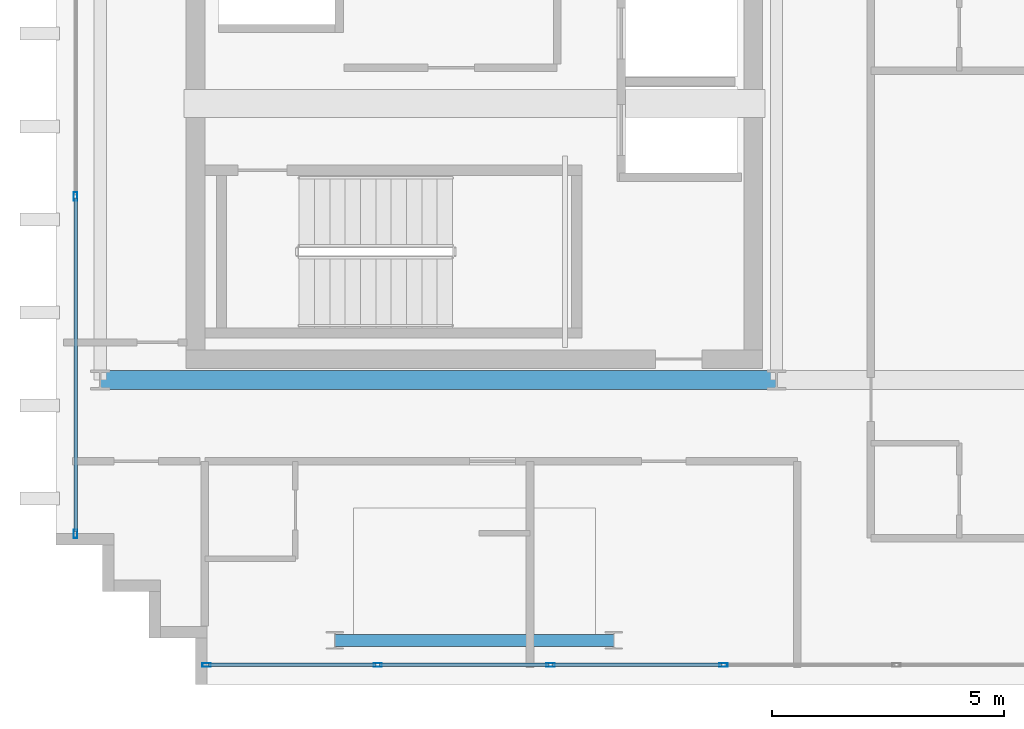
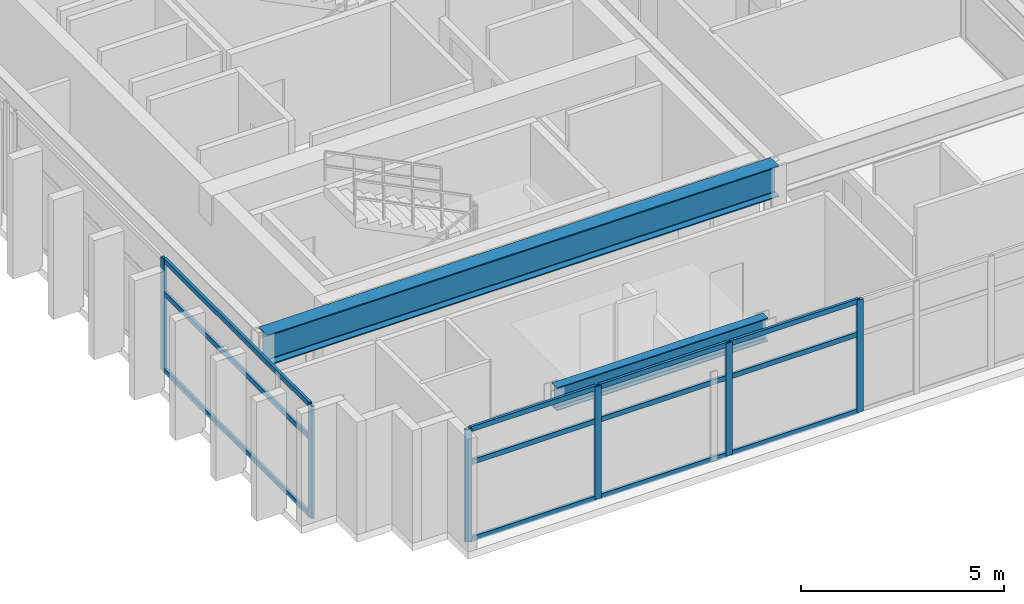
# One storey, part 2 of 15: 18 members, 2 beams, 2 elements without a shape of their own.
"""IFC4 building model written with IfcOpenShell, lengths in metres."""

from ifc_helpers import new_model, si_unit, direction, frame, origin, origin_2d, place, context, subcontext, project, spatial, hollow_rectangle, i_section, extrude, source, transform, mapped, material, layer, layer_set, material_profile, profile_set, type_object, element, aggregate, save


model = new_model("IFC4")

# Units and contexts
model_context = context("Model", 3, precision=1e-05, world=origin(), true_north=direction((0.0, 1.0)))
body_context = subcontext(model_context, "Body", "Model", "MODEL_VIEW")
ifc_project = project(units=[si_unit("LENGTHUNIT", "METRE"), si_unit("AREAUNIT", "SQUARE_METRE"), si_unit("VOLUMEUNIT", "CUBIC_METRE"), si_unit("PLANEANGLEUNIT", "RADIAN"), si_unit("MASSUNIT", "GRAM", prefix="KILO")], contexts=[model_context])

# Site, building, storey
site_placement = place(None, origin())
site = spatial("IfcSite", under=ifc_project, at=site_placement, CompositionType="ELEMENT")
building_placement = place(site_placement, origin())
building = spatial("IfcBuilding", under=site, at=building_placement, Name="Ocotamira Hotel", CompositionType="ELEMENT")
storey_placement = place(building_placement, frame((0.0, 0.0, 276.0)))
storey = spatial("IfcBuildingStorey", under=building, at=storey_placement, Name="L70", CompositionType="ELEMENT", Elevation=276.0)

# Beams
ifc_material_1 = material(Name="Steel ASTM A992 Grade 50", Category="steel")
ifc_material_profile_1 = material_profile(ifc_material_1, i_section(OverallWidth=0.41796875, OverallDepth=0.927001953125, WebThickness=0.019287109375, FlangeThickness=0.031982421875, FilletRadius=0.02392578125, at=origin_2d()), Name="W36X231")
ifc_profile_set_1 = profile_set([ifc_material_profile_1], Name="Steel ASTM A992 Grade 50")
beam_type_1 = type_object("IfcBeamType", Name="BM-GIRD-W36X231", PredefinedType="BEAM", material=ifc_profile_set_1)
shared_shape_1 = source(origin(), body_context, "Body", "SweptSolid", [
    extrude(i_section(OverallWidth=0.41796875, OverallDepth=0.927001953125, WebThickness=0.019287109375, FlangeThickness=0.031982421875, FilletRadius=0.02392578125, at=origin_2d()), origin(), (0.0, 0.0, 1.0), 14.550048828125),
])
beam_1_placement = place(storey_placement, frame((8.949951171875, 14.550048828125, 2.91650390625), z_axis=(1.0, 0.0, 0.0), x_axis=(0.0, 1.0, 0.0)))
element("IfcBeam", 1, at=beam_1_placement, inside=storey, type_object=beam_type_1, Name="L70 Girder Y14.55 X8.95-23.5", PredefinedType="BEAM", context=body_context, shape_type="MappedRepresentation", body=[
    mapped(shared_shape_1, transform((0.0, 0.0, 0.0), scale=1.0)),
])
ifc_material_profile_2 = material_profile(ifc_material_1, i_section(OverallWidth=0.256103515625, OverallDepth=0.693115234375, WebThickness=0.014404296875, FlangeThickness=0.023681640625, FilletRadius=0.01611328125, at=origin_2d()), Name="W27X114")
ifc_profile_set_2 = profile_set([ifc_material_profile_2], Name="Steel ASTM A992 Grade 50")
beam_type_2 = type_object("IfcBeamType", Name="BM-PRIM-W27X114", PredefinedType="BEAM", material=ifc_profile_set_2)
shared_shape_2 = source(origin(), body_context, "Body", "SweptSolid", [
    extrude(i_section(OverallWidth=0.256103515625, OverallDepth=0.693115234375, WebThickness=0.014404296875, FlangeThickness=0.023681640625, FilletRadius=0.01611328125, at=origin_2d()), origin(), (0.0, 0.0, 1.0), 6.0),
])
beam_2_placement = place(storey_placement, frame((14.0, 8.949951171875, 3.033447265625), z_axis=(1.0, 0.0, 0.0), x_axis=(0.0, 1.0, 0.0)))
element("IfcBeam", 2, at=beam_2_placement, inside=storey, type_object=beam_type_2, Name="L70 Girder Y8.95 X14-20", PredefinedType="BEAM", context=body_context, shape_type="MappedRepresentation", body=[
    mapped(shared_shape_2, transform((0.0, 0.0, 0.0), scale=1.0)),
])

# Curtain wall, members
ifc_material_2 = material(Name="Anodised pale-metal aluminium and solar glass", Category="aluminium")
ifc_layer = layer(ifc_material_2, 0.2099609375)
ifc_layer_set = layer_set([ifc_layer], Name="Anodised pale-metal aluminium and solar glass")
curtain_wall_type = type_object("IfcCurtainWallType", Name="CW-SYS7-PEAK", PredefinedType="NOTDEFINED", material=ifc_layer_set)
curtain_wall_1_placement = place(storey_placement, origin())
curtain_wall_1 = element("IfcCurtainWall", 3, at=curtain_wall_1_placement, inside=storey, type_object=curtain_wall_type, Name="L70 Curtain Wall CW-7 CW-L70-S1", PredefinedType="NOTDEFINED")
ifc_material_3 = material(Name="Anodised pale-metal aluminium 6063-T6", Category="aluminium")
ifc_material_profile_3 = material_profile(ifc_material_3, hollow_rectangle(XDim=0.080078125, YDim=0.179931640625, WallThickness=0.006103515625, at=origin_2d()), Name="HSS180X80X6")
ifc_profile_set_3 = profile_set([ifc_material_profile_3], Name="Anodised pale-metal aluminium 6063-T6")
member_type_1 = type_object("IfcMemberType", Name="CWM-180X75", PredefinedType="MULLION", material=ifc_profile_set_3)
shared_shape_3 = source(origin(), body_context, "Body", "SweptSolid", [
    extrude(hollow_rectangle(XDim=0.080078125, YDim=0.179931640625, WallThickness=0.006103515625, at=origin_2d()), origin(), (0.0, 0.0, 1.0), 3.3798828125),
])
member_1_placement = place(storey_placement, frame((11.239990234375, 8.419921875, 0.0), z_axis=(0.0, 0.0, 1.0), x_axis=(0.0, 1.0, 0.0)))
member_1 = element("IfcMember", 4, at=member_1_placement, type_object=member_type_1, Name="CW-7 mullion 1", PredefinedType="MULLION", context=body_context, shape_type="MappedRepresentation", body=[
    mapped(shared_shape_3, transform((0.0, 0.0, 0.0), scale=1.0)),
])
member_2_placement = place(storey_placement, frame((14.919921875, 8.419921875, 0.0), z_axis=(0.0, 0.0, 1.0), x_axis=(0.0, 1.0, 0.0)))
member_2 = element("IfcMember", 5, at=member_2_placement, type_object=member_type_1, Name="CW-7 mullion 2", PredefinedType="MULLION", context=body_context, shape_type="MappedRepresentation", body=[
    mapped(shared_shape_3, transform((0.0, 0.0, 0.0), scale=1.0)),
])
member_3_placement = place(storey_placement, frame((18.639892578125, 8.419921875, 0.0), z_axis=(0.0, 0.0, 1.0), x_axis=(0.0, 1.0, 0.0)))
member_3 = element("IfcMember", 6, at=member_3_placement, type_object=member_type_1, Name="CW-7 mullion 3", PredefinedType="MULLION", context=body_context, shape_type="MappedRepresentation", body=[
    mapped(shared_shape_3, transform((0.0, 0.0, 0.0), scale=1.0)),
])
member_4_placement = place(storey_placement, frame((22.360107421875, 8.419921875, 0.0), z_axis=(0.0, 0.0, 1.0), x_axis=(0.0, 1.0, 0.0)))
member_4 = element("IfcMember", 7, at=member_4_placement, type_object=member_type_1, Name="CW-7 mullion 4", PredefinedType="MULLION", context=body_context, shape_type="MappedRepresentation", body=[
    mapped(shared_shape_3, transform((0.0, 0.0, 0.0), scale=1.0)),
])

curtain_wall_2_placement = place(storey_placement, origin())
curtain_wall_2 = element("IfcCurtainWall", 8, at=curtain_wall_2_placement, inside=storey, type_object=curtain_wall_type, Name="L70 Curtain Wall CW-7 CW-L70-W1", PredefinedType="NOTDEFINED")
member_5_placement = place(storey_placement, frame((8.419921875, 11.239990234375, 0.0), z_axis=(0.0, 0.0, 1.0), x_axis=(-1.0, 0.0, 0.0)))
member_5 = element("IfcMember", 9, at=member_5_placement, type_object=member_type_1, Name="CW-7 mullion 1", PredefinedType="MULLION", context=body_context, shape_type="MappedRepresentation", body=[
    mapped(shared_shape_3, transform((0.0, 0.0, 0.0), scale=1.0)),
])
member_6_placement = place(storey_placement, frame((8.419921875, 18.5, 0.0), z_axis=(0.0, 0.0, 1.0), x_axis=(-1.0, 0.0, 0.0)))
member_6 = element("IfcMember", 10, at=member_6_placement, type_object=member_type_1, Name="CW-7 mullion 2", PredefinedType="MULLION", context=body_context, shape_type="MappedRepresentation", body=[
    mapped(shared_shape_3, transform((0.0, 0.0, 0.0), scale=1.0)),
])
ifc_material_profile_4 = material_profile(ifc_material_3, hollow_rectangle(XDim=0.074951171875, YDim=0.14990234375, WallThickness=0.006103515625, at=origin_2d()), Name="HSS150X75X6")
ifc_profile_set_4 = profile_set([ifc_material_profile_4], Name="Anodised pale-metal aluminium 6063-T6")
member_type_2 = type_object("IfcMemberType", Name="CWT-150X75", PredefinedType="USERDEFINED", material=ifc_profile_set_4)
shared_shape_4 = source(origin(), body_context, "Body", "SweptSolid", [
    extrude(hollow_rectangle(XDim=0.074951171875, YDim=0.14990234375, WallThickness=0.006103515625, at=origin_2d()), origin(), (0.0, 0.0, 1.0), 7.179931640625),
])
member_7_placement = place(storey_placement, frame((8.419921875, 11.280029296875, 0.03759765625), z_axis=(0.0, 1.0, 0.0), x_axis=(-1.0, 0.0, 0.0)))
member_7 = element("IfcMember", 11, at=member_7_placement, type_object=member_type_2, Name="CW-7 transom 1.1", ObjectType="TRANSOM", PredefinedType="USERDEFINED", context=body_context, shape_type="MappedRepresentation", body=[
    mapped(shared_shape_4, transform((0.0, 0.0, 0.0), scale=1.0)),
])
member_8_placement = place(storey_placement, frame((8.419921875, 11.280029296875, 2.35009765625), z_axis=(0.0, 1.0, 0.0), x_axis=(-1.0, 0.0, 0.0)))
member_8 = element("IfcMember", 12, at=member_8_placement, type_object=member_type_2, Name="CW-7 transom 1.2", ObjectType="TRANSOM", PredefinedType="USERDEFINED", context=body_context, shape_type="MappedRepresentation", body=[
    mapped(shared_shape_4, transform((0.0, 0.0, 0.0), scale=1.0)),
])
member_9_placement = place(storey_placement, frame((8.419921875, 11.280029296875, 3.342529296875), z_axis=(0.0, 1.0, 0.0), x_axis=(-1.0, 0.0, 0.0)))
member_9 = element("IfcMember", 13, at=member_9_placement, type_object=member_type_2, Name="CW-7 transom 1.3", ObjectType="TRANSOM", PredefinedType="USERDEFINED", context=body_context, shape_type="MappedRepresentation", body=[
    mapped(shared_shape_4, transform((0.0, 0.0, 0.0), scale=1.0)),
])
aggregate(curtain_wall_2, [member_5, member_6, member_7, member_8, member_9])

# Member
shared_shape_5 = source(origin(), body_context, "Body", "SweptSolid", [
    extrude(hollow_rectangle(XDim=0.074951171875, YDim=0.14990234375, WallThickness=0.006103515625, at=origin_2d()), origin(), (0.0, 0.0, 1.0), 3.599853515625),
])
member_10_placement = place(storey_placement, frame((11.280029296875, 8.419921875, 0.03759765625), z_axis=(1.0, 0.0, 0.0), x_axis=(0.0, 1.0, 0.0)))
member_10 = element("IfcMember", 14, at=member_10_placement, type_object=member_type_2, Name="CW-7 transom 1.1", ObjectType="TRANSOM", PredefinedType="USERDEFINED", context=body_context, shape_type="MappedRepresentation", body=[
    mapped(shared_shape_5, transform((0.0, 0.0, 0.0), scale=1.0)),
])

member_11_placement = place(storey_placement, frame((11.280029296875, 8.419921875, 2.35009765625), z_axis=(1.0, 0.0, 0.0), x_axis=(0.0, 1.0, 0.0)))
member_11 = element("IfcMember", 15, at=member_11_placement, type_object=member_type_2, Name="CW-7 transom 1.2", ObjectType="TRANSOM", PredefinedType="USERDEFINED", context=body_context, shape_type="MappedRepresentation", body=[
    mapped(shared_shape_5, transform((0.0, 0.0, 0.0), scale=1.0)),
])

member_12_placement = place(storey_placement, frame((11.280029296875, 8.419921875, 3.342529296875), z_axis=(1.0, 0.0, 0.0), x_axis=(0.0, 1.0, 0.0)))
member_12 = element("IfcMember", 16, at=member_12_placement, type_object=member_type_2, Name="CW-7 transom 1.3", ObjectType="TRANSOM", PredefinedType="USERDEFINED", context=body_context, shape_type="MappedRepresentation", body=[
    mapped(shared_shape_5, transform((0.0, 0.0, 0.0), scale=1.0)),
])

shared_shape_6 = source(origin(), body_context, "Body", "SweptSolid", [
    extrude(hollow_rectangle(XDim=0.074951171875, YDim=0.14990234375, WallThickness=0.006103515625, at=origin_2d()), origin(), (0.0, 0.0, 1.0), 3.64013671875),
])
member_13_placement = place(storey_placement, frame((14.9599609375, 8.419921875, 0.03759765625), z_axis=(1.0, 0.0, 0.0), x_axis=(0.0, 1.0, 0.0)))
member_13 = element("IfcMember", 17, at=member_13_placement, type_object=member_type_2, Name="CW-7 transom 2.1", ObjectType="TRANSOM", PredefinedType="USERDEFINED", context=body_context, shape_type="MappedRepresentation", body=[
    mapped(shared_shape_6, transform((0.0, 0.0, 0.0), scale=1.0)),
])

member_14_placement = place(storey_placement, frame((14.9599609375, 8.419921875, 2.35009765625), z_axis=(1.0, 0.0, 0.0), x_axis=(0.0, 1.0, 0.0)))
member_14 = element("IfcMember", 18, at=member_14_placement, type_object=member_type_2, Name="CW-7 transom 2.2", ObjectType="TRANSOM", PredefinedType="USERDEFINED", context=body_context, shape_type="MappedRepresentation", body=[
    mapped(shared_shape_6, transform((0.0, 0.0, 0.0), scale=1.0)),
])

member_15_placement = place(storey_placement, frame((14.9599609375, 8.419921875, 3.342529296875), z_axis=(1.0, 0.0, 0.0), x_axis=(0.0, 1.0, 0.0)))
member_15 = element("IfcMember", 19, at=member_15_placement, type_object=member_type_2, Name="CW-7 transom 2.3", ObjectType="TRANSOM", PredefinedType="USERDEFINED", context=body_context, shape_type="MappedRepresentation", body=[
    mapped(shared_shape_6, transform((0.0, 0.0, 0.0), scale=1.0)),
])

member_16_placement = place(storey_placement, frame((18.679931640625, 8.419921875, 0.03759765625), z_axis=(1.0, 0.0, 0.0), x_axis=(0.0, 1.0, 0.0)))
member_16 = element("IfcMember", 20, at=member_16_placement, type_object=member_type_2, Name="CW-7 transom 3.1", ObjectType="TRANSOM", PredefinedType="USERDEFINED", context=body_context, shape_type="MappedRepresentation", body=[
    mapped(shared_shape_6, transform((0.0, 0.0, 0.0), scale=1.0)),
])

member_17_placement = place(storey_placement, frame((18.679931640625, 8.419921875, 2.35009765625), z_axis=(1.0, 0.0, 0.0), x_axis=(0.0, 1.0, 0.0)))
member_17 = element("IfcMember", 21, at=member_17_placement, type_object=member_type_2, Name="CW-7 transom 3.2", ObjectType="TRANSOM", PredefinedType="USERDEFINED", context=body_context, shape_type="MappedRepresentation", body=[
    mapped(shared_shape_6, transform((0.0, 0.0, 0.0), scale=1.0)),
])

member_18_placement = place(storey_placement, frame((18.679931640625, 8.419921875, 3.342529296875), z_axis=(1.0, 0.0, 0.0), x_axis=(0.0, 1.0, 0.0)))
member_18 = element("IfcMember", 22, at=member_18_placement, type_object=member_type_2, Name="CW-7 transom 3.3", ObjectType="TRANSOM", PredefinedType="USERDEFINED", context=body_context, shape_type="MappedRepresentation", body=[
    mapped(shared_shape_6, transform((0.0, 0.0, 0.0), scale=1.0)),
])

aggregate(curtain_wall_1, [member_1, member_2, member_3, member_4, member_10, member_11, member_12, member_13, member_14, member_15, member_16, member_17, member_18])

save(model, "model.ifc")
